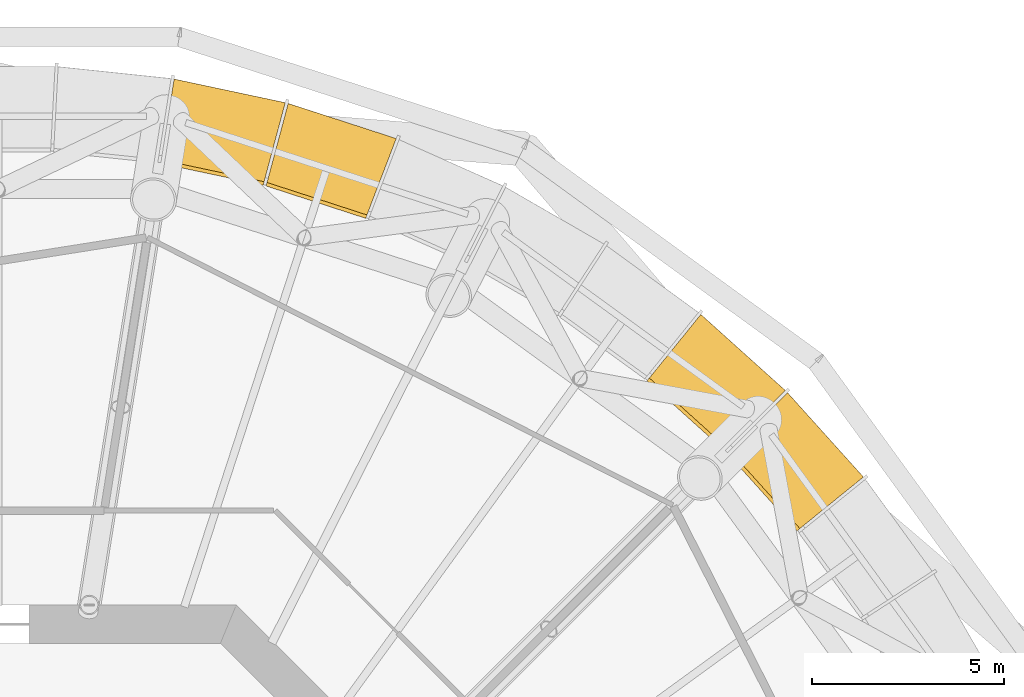
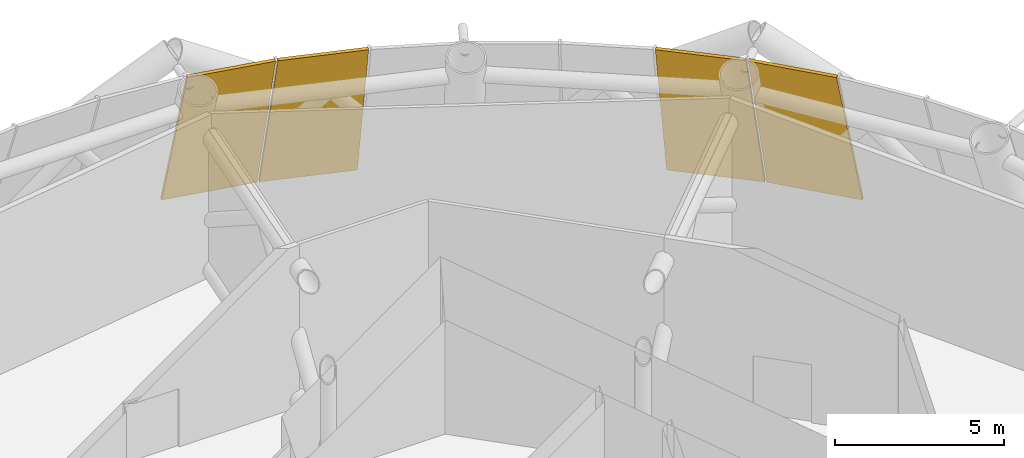
# One storey, part 15 of 15: 4 shading devices.
"""IFC4 building model written with IfcOpenShell, lengths in metres."""

from ifc_helpers import new_model, si_unit, direction, frame, origin, place, context, subcontext, project, spatial, polyline, outline, extrude, material, layer, layer_set, type_object, element, save


model = new_model("IFC4")

# Units and contexts
model_context = context("Model", 3, precision=1e-05, world=origin(), true_north=direction((0.0, 1.0)))
body_context = subcontext(model_context, "Body", "Model", "MODEL_VIEW")
ifc_project = project(units=[si_unit("LENGTHUNIT", "METRE"), si_unit("AREAUNIT", "SQUARE_METRE"), si_unit("VOLUMEUNIT", "CUBIC_METRE"), si_unit("PLANEANGLEUNIT", "RADIAN"), si_unit("MASSUNIT", "GRAM", prefix="KILO")], contexts=[model_context])

# Site, building, storey
site_placement = place(None, origin())
site = spatial("IfcSite", under=ifc_project, at=site_placement, CompositionType="ELEMENT")
building_placement = place(site_placement, origin())
building = spatial("IfcBuilding", under=site, at=building_placement, Name="Entoto Ring Tower", CompositionType="ELEMENT")
storey_placement = place(building_placement, frame((0.0, 0.0, 200.0)))
storey = spatial("IfcBuildingStorey", under=building, at=storey_placement, Name="L46", CompositionType="ELEMENT", Elevation=200.0)

# Shading devices
ifc_material = material(Name="Anodised aluminium", Category="aluminium")
ifc_layer = layer(ifc_material, 0.10009765625)
ifc_layer_set = layer_set([ifc_layer], Name="Anodised aluminium")
shading_device_type = type_object("IfcShadingDeviceType", Name="Louvre bank 100 mm anodised aluminium", PredefinedType="JALOUSIE", material=ifc_layer_set)
shading_device_1_placement = place(storey_placement, frame((112.58349609375, 98.339111328125, 0.034423828125), z_axis=(0.69774298092, 0.628217704615, 0.344234292575), x_axis=(-0.669113295802, 0.74316041157, 7.488122e-06)))
element("IfcShadingDevice", 1, at=shading_device_1_placement, inside=storey, type_object=shading_device_type, Name="LOUVRE L46-05", PredefinedType="JALOUSIE", context=body_context, shape_type="SweptSolid", body=[
    extrude(outline(polyline([(0.0, 0.0), (2.965246491653761, 0.0), (2.8534962501103727, 6.194219760337516), (0.11176429219543894, 6.194265276674592), (0.0, 0.0)])), origin(), (0.0, 0.0, -1.0), 0.10009765625),
])
shading_device_2_placement = place(storey_placement, frame((110.542724609375, 100.599365234375, 0.034423828125), z_axis=(0.628217704615, 0.69774298092, 0.344234292575), x_axis=(-0.74316041157, 0.669113295802, -7.488122e-06)))
element("IfcShadingDevice", 2, at=shading_device_2_placement, inside=storey, type_object=shading_device_type, Name="LOUVRE L46-06", PredefinedType="JALOUSIE", context=body_context, shape_type="SweptSolid", body=[
    extrude(outline(polyline([(0.0, 0.0), (2.965246491653761, 0.0), (2.853482199458322, 6.194265276674591), (0.11175024154338818, 6.194219760337516), (0.0, 0.0)])), origin(), (0.0, 0.0, -1.0), 0.10009765625),
])
shading_device_3_placement = place(storey_placement, frame((100.38818359375, 107.174072265625, 0.034423828125), z_axis=(0.290154767543, 0.892916754879, 0.344252639393), x_axis=(-0.951049067298, 0.309039918815, 1.3070655e-05)))
element("IfcShadingDevice", 3, at=shading_device_3_placement, inside=storey, type_object=shading_device_type, Name="LOUVRE L46-10", PredefinedType="JALOUSIE", context=body_context, shape_type="SweptSolid", body=[
    extrude(outline(polyline([(0.0, 0.0), (2.965184226481774, -5.551115123125783e-17), (2.8533107306836145, 6.194247177218622), (0.11164041892893914, 6.194326625666746), (0.0, 0.0)])), origin(), (0.0, 0.0, -1.0), 0.10009765625),
])
shading_device_4_placement = place(storey_placement, frame((97.490966796875, 108.111083984375, 0.034423828125), z_axis=(0.195197713351, 0.918353027937, 0.344275425759), x_axis=(-0.978148753205, 0.207906268773, 3.045492e-06)))
element("IfcShadingDevice", 4, at=shading_device_4_placement, inside=storey, type_object=shading_device_type, Name="LOUVRE L46-11", PredefinedType="JALOUSIE", context=body_context, shape_type="SweptSolid", body=[
    extrude(outline(polyline([(0.0, 0.0), (2.96517834880905, 0.0), (2.853619738916231, 6.194332767428115), (0.11181671363866076, 6.194351279673322), (0.0, 0.0)])), origin(), (0.0, 0.0, -1.0), 0.10009765625),
])

save(model, "model.ifc")
